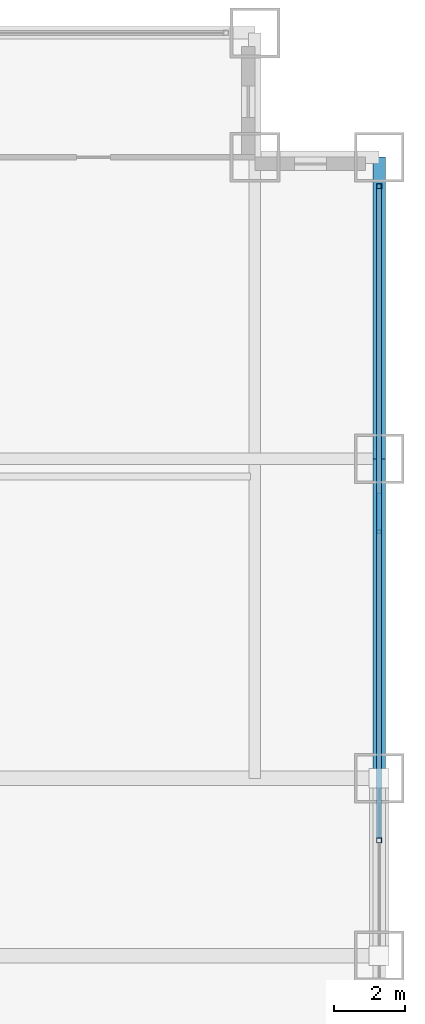
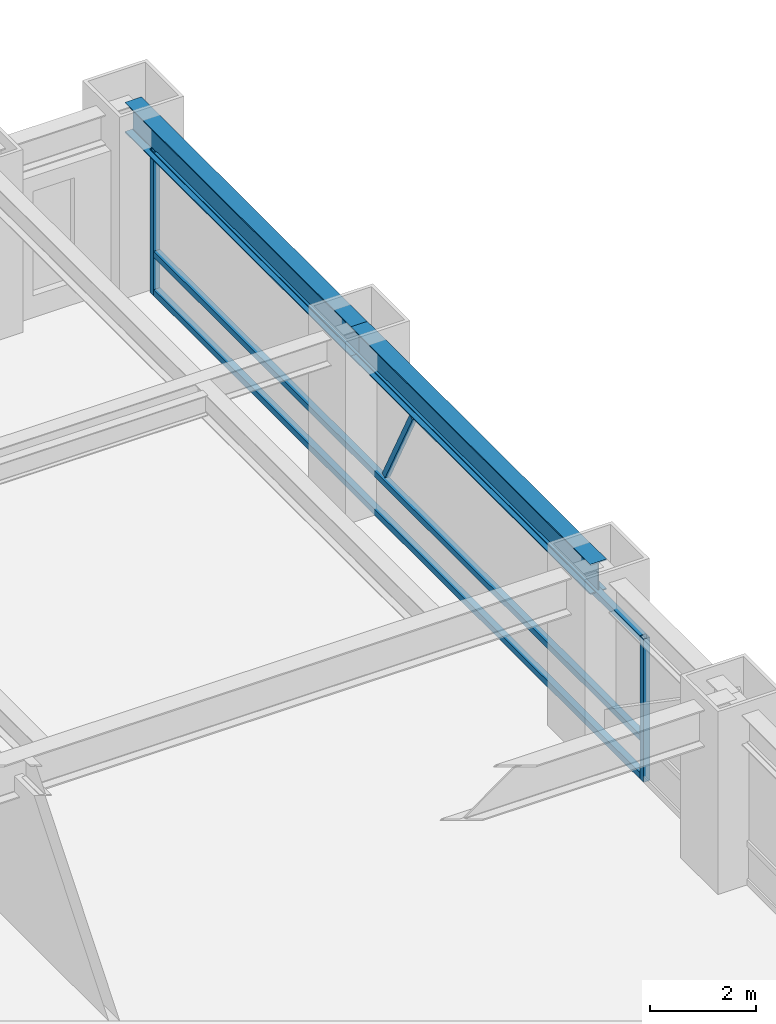
# One storey, part 18 of 27: 6 members, 2 beams, 1 element without a shape of its own.
"""IFC4 building model written with IfcOpenShell, lengths in metres."""

import ifcopenshell
import ifcopenshell.guid

model = None  # the IFC model being written
_history = None  # IfcOwnerHistory: only IFC2X3 demands one
_inside = {}  # id of a spatial element -> (the spatial element, [elements in it])
_under = {}  # id of a project, library or spatial element -> (it, [spatial elements below it])
_declared = {}  # id of a project -> (the project, [libraries it declares])
_typed = {}  # id of a type object -> (the type object, [elements of that type])
_made_of = {}  # id of a material, layer set ... -> (it, [elements and type objects made of it])


def new_model(schema):
    """Start an empty IFC model of exactly this schema.

    Asked for "IFC4X3", IfcOpenShell would pick the latest addendum, in which some entities
    have other attributes; the version numbers below select the first issue.
    IFC2X3 requires an IfcOwnerHistory on every rooted entity: one is made here for all.
    """
    global model, _history
    if schema == "IFC4X3":
        model = ifcopenshell.file(schema_version=(4, 3, 0, 0))
    else:
        model = ifcopenshell.file(schema=schema)
    _inside.clear()
    _under.clear()
    _declared.clear()
    _typed.clear()
    _made_of.clear()
    _history = None
    if model.schema == "IFC2X3":
        org = make("IfcOrganization", Name="unknown")
        user = make(
            "IfcPersonAndOrganization",
            ThePerson=make("IfcPerson", FamilyName="unknown"),
            TheOrganization=org,
        )
        app = make(
            "IfcApplication",
            ApplicationDeveloper=org,
            Version="unknown",
            ApplicationFullName="unknown",
            ApplicationIdentifier="unknown",
        )
        _history = make(
            "IfcOwnerHistory",
            OwningUser=user,
            OwningApplication=app,
            ChangeAction="ADDED",
            CreationDate=0,
        )
    return model


def make(cls, **values):
    """One entity of the class cls with the attributes given. An attribute that is None is left unset."""
    return model.create_entity(
        cls, **{name: value for name, value in values.items() if value is not None}
    )


def rooted(cls, **values):
    """An entity with a GlobalId (a new one), such as an element, a storey or a relation."""
    return make(cls, GlobalId=ifcopenshell.guid.new(), OwnerHistory=_history, **values)


def si_unit(unit_type, name, prefix=None):
    """IfcSIUnit, for example si_unit("LENGTHUNIT", "METRE", prefix="MILLI")."""
    return make("IfcSIUnit", UnitType=unit_type, Prefix=prefix, Name=name)


def assignment(units):
    """IfcUnitAssignment: the units of a project."""
    return None if units is None else make("IfcUnitAssignment", Units=units)


def point(xyz):
    """IfcCartesianPoint."""
    return None if xyz is None else make("IfcCartesianPoint", Coordinates=xyz)


def direction(xyz):
    """IfcDirection."""
    return None if xyz is None else make("IfcDirection", DirectionRatios=xyz)


def frame(location, z_axis=None, x_axis=None):
    """IfcAxis2Placement3D, a coordinate frame: its origin and axes. An axis left out is left unset."""
    return make(
        "IfcAxis2Placement3D",
        Location=point(location),
        Axis=direction(z_axis),
        RefDirection=direction(x_axis),
    )


def frame_2d(location, x_axis=None):
    """IfcAxis2Placement2D, a coordinate frame in the plane: its origin and x axis."""
    return make(
        "IfcAxis2Placement2D", Location=point(location), RefDirection=direction(x_axis)
    )


def origin():
    """The frame at (0, 0, 0) with its axes left unset."""
    return frame((0.0, 0.0, 0.0))


def origin_2d():
    """The frame at (0, 0) in the plane with its x axis left unset."""
    return frame_2d((0.0, 0.0))


def place(relative_to, where):
    """IfcLocalPlacement: puts the frame where relative to a parent placement (None: the world)."""
    return make(
        "IfcLocalPlacement", PlacementRelTo=relative_to, RelativePlacement=where
    )


def context(
    kind, dimensions, precision=None, world=None, true_north=None, identifier=None
):
    """IfcGeometricRepresentationContext, for example the 3D "Model" context."""
    return make(
        "IfcGeometricRepresentationContext",
        ContextIdentifier=identifier,
        ContextType=kind,
        CoordinateSpaceDimension=dimensions,
        Precision=precision,
        WorldCoordinateSystem=world,
        TrueNorth=true_north,
    )


def subcontext(parent, identifier, kind, view, scale=None):
    """IfcGeometricRepresentationSubContext, for example "Body" below "Model"."""
    return make(
        "IfcGeometricRepresentationSubContext",
        ContextIdentifier=identifier,
        ContextType=kind,
        ParentContext=parent,
        TargetScale=scale,
        TargetView=view,
    )


def project(units=None, contexts=None):
    """IfcProject with its units and contexts."""
    return rooted(
        "IfcProject",
        Name="project",
        RepresentationContexts=contexts,
        UnitsInContext=assignment(units),
    )


def spatial(cls, under=None, at=None, **own):
    """A site, building, storey or space (cls), placed at a placement, below another one or the project."""
    s = rooted(cls, ObjectPlacement=at, **own)
    if under is not None:
        _under.setdefault(under.id(), (under, []))[1].append(s)
    return s


def profile(cls, at=None, kind="AREA", **sizes):
    """A parametric profile (cls). Its sizes go by their IFC names, for example OverallWidth=200.0."""
    return make(cls, ProfileType=kind, Position=at, **sizes)


def hollow_rectangle(**sizes):
    """IfcRectangleHollowProfileDef."""
    return profile("IfcRectangleHollowProfileDef", **sizes)


def i_section(**sizes):
    """IfcIShapeProfileDef."""
    return profile("IfcIShapeProfileDef", **sizes)


def extrude(swept, where, along, depth):
    """IfcExtrudedAreaSolid: the profile swept, set in the frame where, extruded along a direction by depth."""
    return make(
        "IfcExtrudedAreaSolid",
        SweptArea=swept,
        Position=where,
        ExtrudedDirection=direction(along),
        Depth=depth,
    )


def shape(context_of_items, identifier, shape_type, items):
    """IfcShapeRepresentation: the items that make up one representation, for example the "Body"."""
    return make(
        "IfcShapeRepresentation",
        ContextOfItems=context_of_items,
        RepresentationIdentifier=identifier,
        RepresentationType=shape_type,
        Items=items,
    )


def source(mapping_origin, context_of_items, identifier, shape_type, items):
    """IfcRepresentationMap: a shape defined once, which mapped items show again and again."""
    return make(
        "IfcRepresentationMap",
        MappingOrigin=mapping_origin,
        MappedRepresentation=shape(context_of_items, identifier, shape_type, items),
    )


def transform(
    local_origin,
    x_axis=None,
    y_axis=None,
    z_axis=None,
    scale=None,
    scale2=None,
    scale3=None,
    uniform=True,
):
    """IfcCartesianTransformationOperator3D, or its non-uniform kind. x_axis, y_axis, z_axis: its Axis1, 2, 3."""
    if uniform:
        return make(
            "IfcCartesianTransformationOperator3D",
            Axis1=direction(x_axis),
            Axis2=direction(y_axis),
            LocalOrigin=point(local_origin),
            Scale=scale,
            Axis3=direction(z_axis),
        )
    return make(
        "IfcCartesianTransformationOperator3DnonUniform",
        Axis1=direction(x_axis),
        Axis2=direction(y_axis),
        LocalOrigin=point(local_origin),
        Scale=scale,
        Axis3=direction(z_axis),
        Scale2=scale2,
        Scale3=scale3,
    )


def mapped(mapping_source, mapping_target):
    """IfcMappedItem: shows the shape of a source again, moved by a transform."""
    return make(
        "IfcMappedItem", MappingSource=mapping_source, MappingTarget=mapping_target
    )


def material(Name=None, Category=None):
    """IfcMaterial."""
    return make("IfcMaterial", Name=Name, Category=Category)


def material_profile(
    of_material, cross_section, Name=None, Category=None, Priority=None
):
    """IfcMaterialProfile: a cross section and its material."""
    return make(
        "IfcMaterialProfile",
        Name=Name,
        Material=of_material,
        Profile=cross_section,
        Priority=Priority,
        Category=Category,
    )


def profile_set(profiles, Name=None, composite=None):
    """IfcMaterialProfileSet."""
    return make(
        "IfcMaterialProfileSet",
        Name=Name,
        MaterialProfiles=profiles,
        CompositeProfile=composite,
    )


def made_of(thing, what):
    """Note that an element or type object is made of a material, layer set ...; save() writes the relation."""
    if what is not None:
        _made_of.setdefault(what.id(), (what, []))[1].append(thing)
    return thing


def type_object(cls, material=None, **own):
    """A type object (cls), such as IfcWallType, which elements share."""
    return made_of(rooted(cls, **own), material)


def element(
    cls,
    number,
    at=None,
    inside=None,
    cuts=None,
    type_object=None,
    material=None,
    context=None,
    identifier="Body",
    shape_type=None,
    held_by="IfcProductDefinitionShape",
    body=None,
    shapes=None,
    **own,
):
    """One element of the class cls, such as IfcWall. Its Tag is "e" and its number.

    at: its placement. inside: the storey or other place that contains it. cuts: it is an
    opening in that element (IfcRelVoidsElement). A single representation is given by context,
    identifier, shape_type and body (its items); several are given by shapes. held_by: the class
    of the entity that holds the representations. save() writes the other relations.
    """
    e = rooted(cls, Tag="e%d" % number, ObjectPlacement=at, **own)
    if body is not None:
        shapes = [shape(context, identifier, shape_type, body)]
    if shapes is not None:
        e.Representation = make(held_by, Representations=shapes)
    if inside is not None:
        _inside.setdefault(inside.id(), (inside, []))[1].append(e)
    if cuts is not None:
        rooted(
            "IfcRelVoidsElement", RelatingBuildingElement=cuts, RelatedOpeningElement=e
        )
    if type_object is not None:
        _typed.setdefault(type_object.id(), (type_object, []))[1].append(e)
    return made_of(e, material)


def aggregate(whole, parts):
    """IfcRelAggregates: a whole, such as a stair, and the parts it consists of."""
    return rooted("IfcRelAggregates", RelatingObject=whole, RelatedObjects=parts)


def save(model, path):
    """Write the relations noted so far, then the file.

    IfcRelAggregates (storeys below a building ...), IfcRelContainedInSpatialStructure (elements
    in a storey), IfcRelDefinesByType, IfcRelAssociatesMaterial and IfcRelDeclares: one each for
    every whole, place, type object, material and project.
    """
    for whole, parts in _under.values():
        aggregate(whole, parts)
    for where, things in _inside.values():
        rooted(
            "IfcRelContainedInSpatialStructure",
            RelatedElements=things,
            RelatingStructure=where,
        )
    for kind, things in _typed.values():
        rooted("IfcRelDefinesByType", RelatedObjects=things, RelatingType=kind)
    for what, things in _made_of.values():
        rooted("IfcRelAssociatesMaterial", RelatedObjects=things, RelatingMaterial=what)
    for by, libraries in _declared.values():
        rooted("IfcRelDeclares", RelatingContext=by, RelatedDefinitions=libraries)
    model.write(path)


model = new_model("IFC4")

# Units and contexts
model_context = context("Model", 3, precision=1e-05, world=origin(), true_north=direction((0.0, 1.0)))
body_context = subcontext(model_context, "Body", "Model", "MODEL_VIEW")
ifc_project = project(units=[si_unit("LENGTHUNIT", "METRE"), si_unit("AREAUNIT", "SQUARE_METRE"), si_unit("VOLUMEUNIT", "CUBIC_METRE"), si_unit("PLANEANGLEUNIT", "RADIAN"), si_unit("MASSUNIT", "GRAM", prefix="KILO")], contexts=[model_context])

# Site, building, storey
site_placement = place(None, origin())
site = spatial("IfcSite", under=ifc_project, at=site_placement, CompositionType="ELEMENT")
building_placement = place(site_placement, origin())
building = spatial("IfcBuilding", under=site, at=building_placement, Name="Khorayat Bourse Tower", CompositionType="ELEMENT")
storey_placement = place(building_placement, frame((0.0, 0.0, 53.60009765625)))
storey = spatial("IfcBuildingStorey", under=building, at=storey_placement, Name="L11", CompositionType="ELEMENT", Elevation=53.60009765625)

# Beams
ifc_material_1 = material(Name="Steel ASTM A992 Grade 50", Category="steel")
ifc_material_profile_1 = material_profile(ifc_material_1, i_section(OverallWidth=0.35498046875, OverallDepth=0.695068359375, WebThickness=0.015380859375, FlangeThickness=0.02490234375, FilletRadius=0.01806640625, at=origin_2d()), Name="W690X217")
ifc_profile_set_1 = profile_set([ifc_material_profile_1], Name="Steel ASTM A992 Grade 50")
beam_type = type_object("IfcBeamType", Name="BM-SPAN-690", PredefinedType="SPANDREL", material=ifc_profile_set_1)
shared_shape_1 = source(origin(), body_context, "Body", "SweptSolid", [
    extrude(i_section(OverallWidth=0.35498046875, OverallDepth=0.695068359375, WebThickness=0.015380859375, FlangeThickness=0.02490234375, FilletRadius=0.01806640625, at=origin_2d()), origin(), (0.0, 0.0, 1.0), 8.5),
])
beam_1_placement = place(storey_placement, frame((32.0, 20.0, 3.59228515625), z_axis=(0.0, 1.0, 0.0), x_axis=(-1.0, 0.0, 0.0)))
element("IfcBeam", 1, at=beam_1_placement, inside=storey, type_object=beam_type, Name="L11 BM-SPAN-690 BM-L11-SPN-041", PredefinedType="SPANDREL", context=body_context, shape_type="MappedRepresentation", body=[
    mapped(shared_shape_1, transform((0.0, 0.0, 0.0), scale=1.0)),
])
shared_shape_2 = source(origin(), body_context, "Body", "SweptSolid", [
    extrude(i_section(OverallWidth=0.35498046875, OverallDepth=0.695068359375, WebThickness=0.015380859375, FlangeThickness=0.02490234375, FilletRadius=0.01806640625, at=origin_2d()), origin(), (0.0, 0.0, 1.0), 9.0),
])
beam_2_placement = place(storey_placement, frame((32.0, 11.0, 3.59228515625), z_axis=(0.0, 1.0, 0.0), x_axis=(-1.0, 0.0, 0.0)))
element("IfcBeam", 2, at=beam_2_placement, inside=storey, type_object=beam_type, Name="L11 BM-SPAN-690 BM-L11-SPN-040", PredefinedType="SPANDREL", context=body_context, shape_type="MappedRepresentation", body=[
    mapped(shared_shape_2, transform((0.0, 0.0, 0.0), scale=1.0)),
])

# Curtain wall, members
ifc_material_2 = material(Name="Aluminium EN AW-6063 T6", Category="aluminium")
curtain_wall_type = type_object("IfcCurtainWallType", Name="CW-SYS-02", PredefinedType="NOTDEFINED", material=ifc_material_2)
curtain_wall_placement = place(storey_placement, origin())
curtain_wall = element("IfcCurtainWall", 3, at=curtain_wall_placement, inside=storey, type_object=curtain_wall_type, Name="L11 Curtain Wall CW-L11-E1", PredefinedType="NOTDEFINED")
ifc_material_profile_2 = material_profile(ifc_material_2, hollow_rectangle(XDim=0.139892578125, YDim=0.139892578125, WallThickness=0.006103515625, at=origin_2d()), Name="ALU 140x140x6")
ifc_profile_set_2 = profile_set([ifc_material_profile_2], Name="Aluminium EN AW-6063 T6")
member_type_1 = type_object("IfcMemberType", Name="CWM-VERT-140", PredefinedType="MULLION", material=ifc_profile_set_2)
shared_shape_3 = source(origin(), body_context, "Body", "SweptSolid", [
    extrude(hollow_rectangle(XDim=0.139892578125, YDim=0.139892578125, WallThickness=0.006103515625, at=origin_2d()), origin(), (0.0, 0.0, 1.0), 3.289794921875),
])
member_1_placement = place(storey_placement, frame((32.0, 9.25, 0.0), z_axis=(0.0, 0.0, 1.0), x_axis=(-1.0, 0.0, 0.0)))
member_1 = element("IfcMember", 4, at=member_1_placement, type_object=member_type_1, Name="CW-L11-E1 Vertical Mullion 3", PredefinedType="MULLION", context=body_context, shape_type="MappedRepresentation", body=[
    mapped(shared_shape_3, transform((0.0, 0.0, 0.0), scale=1.0)),
])
member_2_placement = place(storey_placement, frame((32.0, 27.679931640625, 0.0), z_axis=(0.0, 0.0, 1.0), x_axis=(-1.0, 0.0, 0.0)))
member_2 = element("IfcMember", 5, at=member_2_placement, type_object=member_type_1, Name="CW-L11-E1 Vertical Mullion 4", PredefinedType="MULLION", context=body_context, shape_type="MappedRepresentation", body=[
    mapped(shared_shape_3, transform((0.0, 0.0, 0.0), scale=1.0)),
])
ifc_material_profile_3 = material_profile(ifc_material_2, hollow_rectangle(XDim=0.139892578125, YDim=0.139892578125, WallThickness=0.006103515625, at=origin_2d()), Name="ALU 140x140x6")
ifc_profile_set_3 = profile_set([ifc_material_profile_3], Name="Aluminium EN AW-6063 T6")
member_type_2 = type_object("IfcMemberType", Name="CWT-HORZ-140", PredefinedType="USERDEFINED", material=ifc_profile_set_3)
shared_shape_4 = source(origin(), body_context, "Body", "SweptSolid", [
    extrude(hollow_rectangle(XDim=0.139892578125, YDim=0.139892578125, WallThickness=0.006103515625, at=origin_2d()), origin(), (0.0, 0.0, 1.0), 18.2900390625),
])
member_3_placement = place(storey_placement, frame((32.0, 9.320068359375, 0.06982421875), z_axis=(0.0, 1.0, 0.0), x_axis=(-1.0, 0.0, 0.0)))
member_3 = element("IfcMember", 6, at=member_3_placement, type_object=member_type_2, Name="CW-L11-E1 Horizontal Transom 3-1", ObjectType="TRANSOM", PredefinedType="USERDEFINED", context=body_context, shape_type="MappedRepresentation", body=[
    mapped(shared_shape_4, transform((0.0, 0.0, 0.0), scale=1.0)),
])
member_4_placement = place(storey_placement, frame((32.0, 9.320068359375, 0.949951171875), z_axis=(0.0, 1.0, 0.0), x_axis=(-1.0, 0.0, 0.0)))
member_4 = element("IfcMember", 7, at=member_4_placement, type_object=member_type_2, Name="CW-L11-E1 Horizontal Transom 3-2", ObjectType="TRANSOM", PredefinedType="USERDEFINED", context=body_context, shape_type="MappedRepresentation", body=[
    mapped(shared_shape_4, transform((0.0, 0.0, 0.0), scale=1.0)),
])
member_5_placement = place(storey_placement, frame((32.0, 9.320068359375, 3.219970703125), z_axis=(0.0, 1.0, 0.0), x_axis=(-1.0, 0.0, 0.0)))
member_5 = element("IfcMember", 8, at=member_5_placement, type_object=member_type_2, Name="CW-L11-E1 Horizontal Transom 3-3", ObjectType="TRANSOM", PredefinedType="USERDEFINED", context=body_context, shape_type="MappedRepresentation", body=[
    mapped(shared_shape_4, transform((0.0, 0.0, 0.0), scale=1.0)),
])
ifc_material_profile_4 = material_profile(ifc_material_2, hollow_rectangle(XDim=0.1201171875, YDim=0.1201171875, WallThickness=0.0048828125, at=origin_2d()), Name="ALU 120x120x5")
ifc_profile_set_4 = profile_set([ifc_material_profile_4], Name="Aluminium EN AW-6063 T6")
member_type_3 = type_object("IfcMemberType", Name="CWM-DIAG-120", PredefinedType="MULLION", material=ifc_profile_set_4)
shared_shape_5 = source(origin(), body_context, "Body", "SweptSolid", [
    extrude(hollow_rectangle(XDim=0.1201171875, YDim=0.1201171875, WallThickness=0.0048828125, at=origin_2d()), origin(), (0.0, 0.0, 1.0), 2.22607421875),
])
member_6_placement = place(storey_placement, frame((32.0, 18.9833984375, 1.099853515625), z_axis=(0.0, -0.465759992596, 0.884911085532), x_axis=(1.0, 0.0, 0.0)))
member_6 = element("IfcMember", 9, at=member_6_placement, type_object=member_type_3, Name="CW-L11-E1 Faceted Diagonal Mullion 3", PredefinedType="MULLION", context=body_context, shape_type="MappedRepresentation", body=[
    mapped(shared_shape_5, transform((0.0, 0.0, 0.0), scale=1.0)),
])
aggregate(curtain_wall, [member_1, member_2, member_3, member_4, member_5, member_6])

save(model, "model.ifc")
